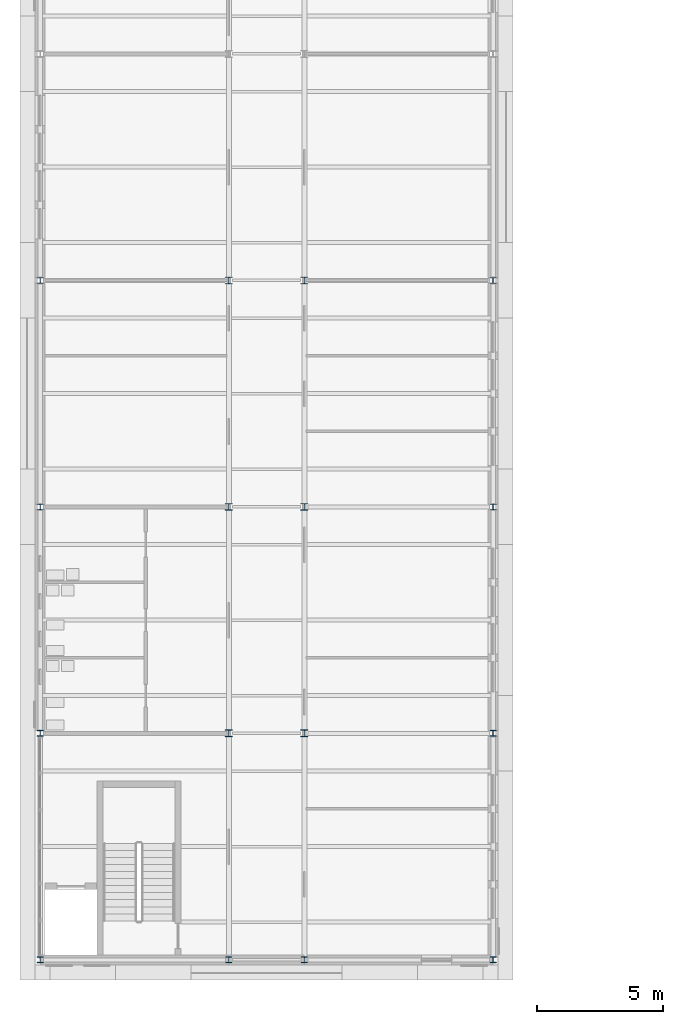
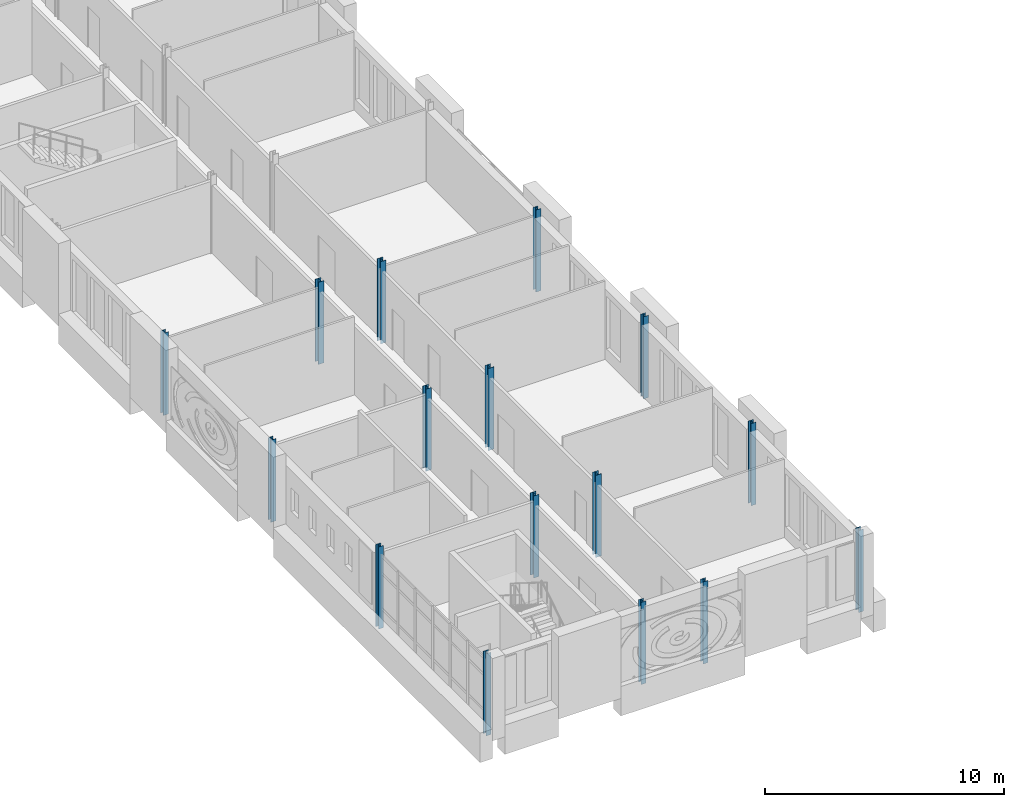
# One storey, part 1 of 121: 16 columns.
"""IFC4 building model written with IfcOpenShell, lengths in metres."""

from ifc_helpers import new_model, si_unit, direction, frame, origin, origin_2d, place, context, subcontext, project, spatial, i_section, extrude, material, material_profile, profile_set, type_object, element, save


model = new_model("IFC4")

# Units and contexts
model_context = context("Model", 3, precision=1e-05, world=origin(), true_north=direction((0.0, 1.0)))
body_context = subcontext(model_context, "Body", "Model", "MODEL_VIEW")
ifc_project = project(units=[si_unit("LENGTHUNIT", "METRE"), si_unit("AREAUNIT", "SQUARE_METRE"), si_unit("VOLUMEUNIT", "CUBIC_METRE"), si_unit("PLANEANGLEUNIT", "RADIAN"), si_unit("MASSUNIT", "GRAM", prefix="KILO")], contexts=[model_context])

# Site, building, storey
site_placement = place(None, origin())
site = spatial("IfcSite", under=ifc_project, at=site_placement, CompositionType="ELEMENT")
building_placement = place(site_placement, origin())
building = spatial("IfcBuilding", under=site, at=building_placement, Name="Golden Quay Civic Hall", CompositionType="ELEMENT")
storey_placement = place(building_placement, frame((0.0, 0.0, 18.60009765625)))
storey = spatial("IfcBuildingStorey", under=building, at=storey_placement, Name="L04", CompositionType="ELEMENT", Elevation=18.60009765625)

# Columns
ifc_material_1 = material(Name="Steel S355", Category="steel")
ifc_material_profile_1 = material_profile(ifc_material_1, i_section(OverallWidth=0.239990234375, OverallDepth=0.22998046875, WebThickness=0.007568359375, FlangeThickness=0.011962890625, FilletRadius=0.02099609375, at=origin_2d()), Name="HEA 240")
ifc_profile_set_1 = profile_set([ifc_material_profile_1], Name="Steel S355")
column_type_1 = type_object("IfcColumnType", Name="Steel column HEA 240", PredefinedType="COLUMN", material=ifc_profile_set_1)
for number, where, z_axis, x_axis, name in (
    (1, (0.0, -9.0, -0.2001953125), (0.0, 0.0, 1.0), (1.0, 0.0, 0.0), "Column 0/-9 L04"),
    (2, (0.0, 0.0, -0.2001953125), (0.0, 0.0, 1.0), (1.0, 0.0, 0.0), "Column 0/0 L04"),
    (3, (0.0, 9.0, -0.2001953125), (0.0, 0.0, 1.0), (1.0, 0.0, 0.0), "Column 0/9 L04"),
    (4, (0.0, 18.0, -0.2001953125), (0.0, 0.0, 1.0), (1.0, 0.0, 0.0), "Column 0/18 L04"),
    (5, (7.5, -9.0, -0.2001953125), (0.0, 0.0, 1.0), (1.0, 0.0, 0.0), "Column 7.5/-9 L04"),
    (6, (10.5, -9.0, -0.2001953125), (0.0, 0.0, 1.0), (1.0, 0.0, 0.0), "Column 10.5/-9 L04"),
    (7, (18.0, -9.0, -0.2001953125), (0.0, 0.0, 1.0), (1.0, 0.0, 0.0), "Column 18/-9 L04"),
    (8, (18.0, 0.0, -0.2001953125), (0.0, 0.0, 1.0), (1.0, 0.0, 0.0), "Column 18/0 L04"),
    (9, (18.0, 9.0, -0.2001953125), (0.0, 0.0, 1.0), (1.0, 0.0, 0.0), "Column 18/9 L04"),
    (10, (18.0, 18.0, -0.2001953125), (0.0, 0.0, 1.0), (1.0, 0.0, 0.0), "Column 18/18 L04"),
):
    element("IfcColumn", number, at=place(storey_placement, frame(where, z_axis=z_axis, x_axis=x_axis)), inside=storey, type_object=column_type_1, Name=name, PredefinedType="COLUMN", context=body_context, shape_type="SweptSolid", body=[
        extrude(i_section(OverallWidth=0.239990234375, OverallDepth=0.22998046875, WebThickness=0.007568359375, FlangeThickness=0.011962890625, FilletRadius=0.02099609375, at=origin_2d()), origin(), (0.0, 0.0, 1.0), 4.2001953125),
    ])
ifc_material_2 = material(Name="Steel S355", Category="steel")
ifc_material_profile_2 = material_profile(ifc_material_2, i_section(OverallWidth=0.280029296875, OverallDepth=0.27001953125, WebThickness=0.008056640625, FlangeThickness=0.012939453125, FilletRadius=0.02392578125, at=origin_2d()), Name="HEA 280")
ifc_profile_set_2 = profile_set([ifc_material_profile_2], Name="Steel S355")
column_type_2 = type_object("IfcColumnType", Name="Steel column HEA 280", PredefinedType="COLUMN", material=ifc_profile_set_2)
for number, where, z_axis, x_axis, name in (
    (11, (7.5, 0.0, -0.2001953125), (0.0, 0.0, 1.0), (1.0, 0.0, 0.0), "Column 7.5/0 L04"),
    (12, (7.5, 9.0, -0.2001953125), (0.0, 0.0, 1.0), (1.0, 0.0, 0.0), "Column 7.5/9 L04"),
    (13, (7.5, 18.0, -0.2001953125), (0.0, 0.0, 1.0), (1.0, 0.0, 0.0), "Column 7.5/18 L04"),
    (14, (10.5, 0.0, -0.2001953125), (0.0, 0.0, 1.0), (1.0, 0.0, 0.0), "Column 10.5/0 L04"),
    (15, (10.5, 9.0, -0.2001953125), (0.0, 0.0, 1.0), (1.0, 0.0, 0.0), "Column 10.5/9 L04"),
    (16, (10.5, 18.0, -0.2001953125), (0.0, 0.0, 1.0), (1.0, 0.0, 0.0), "Column 10.5/18 L04"),
):
    element("IfcColumn", number, at=place(storey_placement, frame(where, z_axis=z_axis, x_axis=x_axis)), inside=storey, type_object=column_type_2, Name=name, PredefinedType="COLUMN", context=body_context, shape_type="SweptSolid", body=[
        extrude(i_section(OverallWidth=0.280029296875, OverallDepth=0.27001953125, WebThickness=0.008056640625, FlangeThickness=0.012939453125, FilletRadius=0.02392578125, at=origin_2d()), origin(), (0.0, 0.0, 1.0), 4.2001953125),
    ])

save(model, "model.ifc")
